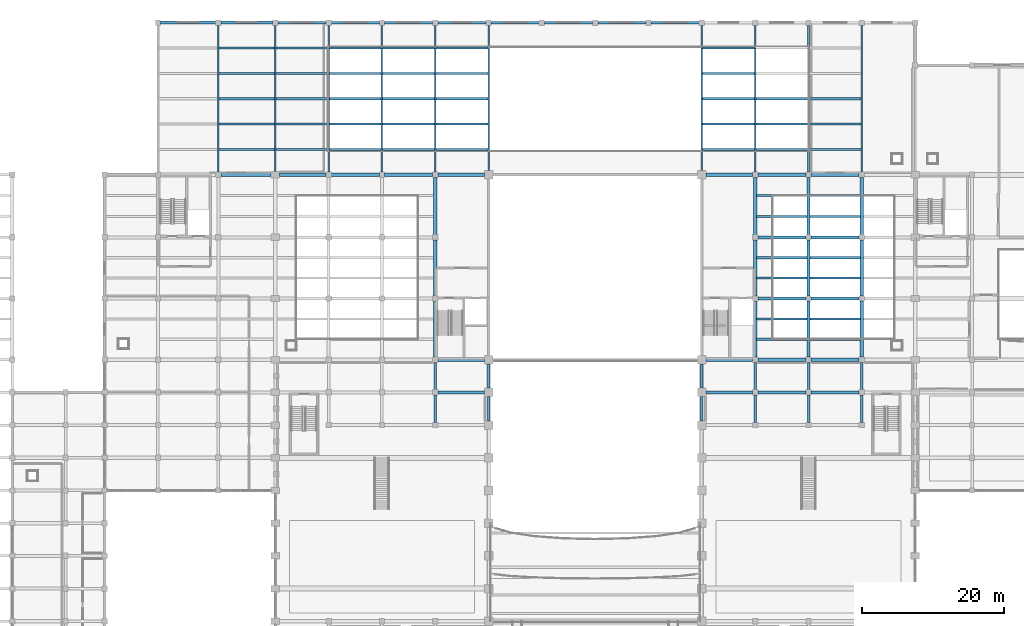
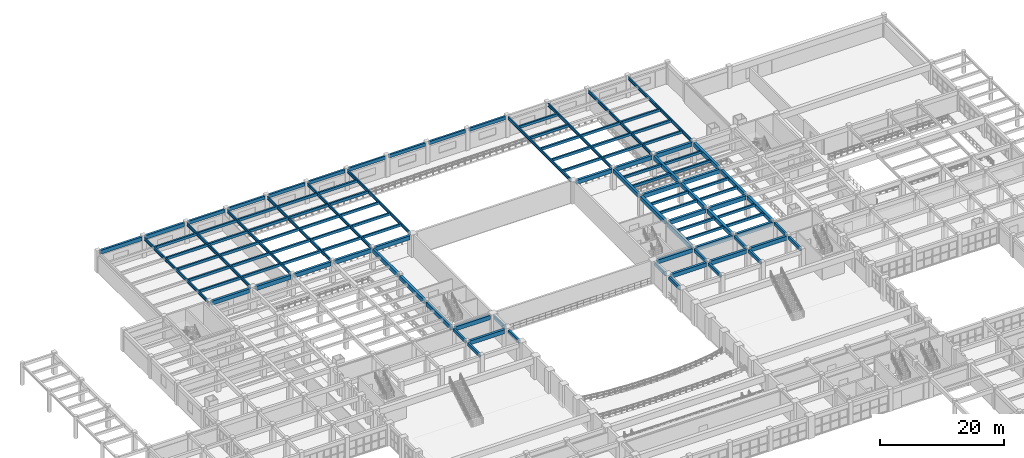
# One storey, part 48 of 116: 112 beams.
"""IFC4 building model written with IfcOpenShell, lengths in metres."""

from ifc_helpers import new_model, si_unit, direction, frame, origin, origin_2d, place, context, subcontext, project, spatial, rectangle, i_section, extrude, material, material_profile, profile_set, type_object, element, save


model = new_model("IFC4")

# Units and contexts
model_context = context("Model", 3, precision=1e-05, world=origin(), true_north=direction((0.0, 1.0)))
body_context = subcontext(model_context, "Body", "Model", "MODEL_VIEW")
ifc_project = project(units=[si_unit("LENGTHUNIT", "METRE"), si_unit("AREAUNIT", "SQUARE_METRE"), si_unit("VOLUMEUNIT", "CUBIC_METRE"), si_unit("PLANEANGLEUNIT", "RADIAN"), si_unit("MASSUNIT", "GRAM", prefix="KILO")], contexts=[model_context])

# Site, building, storey
site_placement = place(None, origin())
site = spatial("IfcSite", under=ifc_project, at=site_placement, CompositionType="ELEMENT")
building_placement = place(site_placement, origin())
building = spatial("IfcBuilding", under=site, at=building_placement, Name="Muzn Square Opera House", CompositionType="ELEMENT")
storey_placement = place(building_placement, frame((0.0, 0.0, 5.39990234375)))
storey = spatial("IfcBuildingStorey", under=building, at=storey_placement, Name="L01", CompositionType="ELEMENT", Elevation=5.39990234375)

# Beams
ifc_material_1 = material(Name="Concrete C40/50", Category="concrete")
ifc_material_profile_1 = material_profile(ifc_material_1, rectangle(XDim=0.300048828125, YDim=0.5, at=origin_2d()), Name="RCJ 300x500", Category="concrete")
ifc_profile_set_1 = profile_set([ifc_material_profile_1], Name="Concrete C40/50")
beam_type_1 = type_object("IfcBeamType", Name="Floor Joist 300x500", PredefinedType="JOIST", material=ifc_profile_set_1)
for number, where, z_axis, x_axis, name in (
    (1, (35.10205078125, 102.166748046875, 3.8701171875), (1.0, 0.0, 0.0), (0.0, 1.0, 0.0), "Floor Joist BM-L01-BM-J500-351_1022_429_1022-1834"),
    (2, (35.10205078125, 105.7333984375, 3.8701171875), (1.0, 0.0, 0.0), (0.0, 1.0, 0.0), "Floor Joist BM-L01-BM-J500-351_1057_429_1057-1835"),
    (3, (35.10205078125, 109.300048828125, 3.8701171875), (1.0, 0.0, 0.0), (0.0, 1.0, 0.0), "Floor Joist BM-L01-BM-J500-351_1093_429_1093-1836"),
    (4, (35.10205078125, 112.86669921875, 3.8701171875), (1.0, 0.0, 0.0), (0.0, 1.0, 0.0), "Floor Joist BM-L01-BM-J500-351_1129_429_1129-1837"),
    (5, (35.10205078125, 116.433349609375, 3.8701171875), (1.0, 0.0, 0.0), (0.0, 1.0, 0.0), "Floor Joist BM-L01-BM-J500-351_1164_429_1164-1838"),
):
    element("IfcBeam", number, at=place(storey_placement, frame(where, z_axis=z_axis, x_axis=x_axis)), inside=storey, type_object=beam_type_1, Name=name, PredefinedType="JOIST", context=body_context, shape_type="SweptSolid", body=[
        extrude(rectangle(XDim=0.300048828125, YDim=0.5, at=origin_2d()), origin(), (0.0, 0.0, 1.0), 7.7958984375),
    ])
for number, where, z_axis, x_axis, name in (
    (6, (43.10205078125, 102.166748046875, 3.8701171875), (1.0, 0.0, 0.0), (0.0, 1.0, 0.0), "Floor Joist BM-L01-BM-J500-431_1022_504_1022-1847"),
    (7, (43.10205078125, 105.7333984375, 3.8701171875), (1.0, 0.0, 0.0), (0.0, 1.0, 0.0), "Floor Joist BM-L01-BM-J500-431_1057_504_1057-1848"),
    (8, (43.10205078125, 109.300048828125, 3.8701171875), (1.0, 0.0, 0.0), (0.0, 1.0, 0.0), "Floor Joist BM-L01-BM-J500-431_1093_504_1093-1849"),
    (9, (43.10205078125, 112.86669921875, 3.8701171875), (1.0, 0.0, 0.0), (0.0, 1.0, 0.0), "Floor Joist BM-L01-BM-J500-431_1129_504_1129-1850"),
    (10, (43.10205078125, 116.433349609375, 3.8701171875), (1.0, 0.0, 0.0), (0.0, 1.0, 0.0), "Floor Joist BM-L01-BM-J500-431_1164_504_1164-1851"),
    (11, (50.60205078125, 102.166748046875, 3.8701171875), (1.0, 0.0, 0.0), (0.0, 1.0, 0.0), "Floor Joist BM-L01-BM-J500-506_1022_579_1022-1858"),
    (12, (50.60205078125, 105.7333984375, 3.8701171875), (1.0, 0.0, 0.0), (0.0, 1.0, 0.0), "Floor Joist BM-L01-BM-J500-506_1057_579_1057-1859"),
    (13, (50.60205078125, 109.300048828125, 3.8701171875), (1.0, 0.0, 0.0), (0.0, 1.0, 0.0), "Floor Joist BM-L01-BM-J500-506_1093_579_1093-1860"),
    (14, (50.60205078125, 112.86669921875, 3.8701171875), (1.0, 0.0, 0.0), (0.0, 1.0, 0.0), "Floor Joist BM-L01-BM-J500-506_1129_579_1129-1861"),
    (15, (50.60205078125, 116.433349609375, 3.8701171875), (1.0, 0.0, 0.0), (0.0, 1.0, 0.0), "Floor Joist BM-L01-BM-J500-506_1164_579_1164-1862"),
    (16, (58.10205078125, 102.166748046875, 3.8701171875), (1.0, 0.0, 0.0), (0.0, 1.0, 0.0), "Floor Joist BM-L01-BM-J500-581_1022_654_1022-1869"),
    (17, (58.10205078125, 105.7333984375, 3.8701171875), (1.0, 0.0, 0.0), (0.0, 1.0, 0.0), "Floor Joist BM-L01-BM-J500-581_1057_654_1057-1870"),
    (18, (58.10205078125, 109.300048828125, 3.8701171875), (1.0, 0.0, 0.0), (0.0, 1.0, 0.0), "Floor Joist BM-L01-BM-J500-581_1093_654_1093-1871"),
    (19, (58.10205078125, 112.86669921875, 3.8701171875), (1.0, 0.0, 0.0), (0.0, 1.0, 0.0), "Floor Joist BM-L01-BM-J500-581_1129_654_1129-1872"),
    (20, (58.10205078125, 116.433349609375, 3.8701171875), (1.0, 0.0, 0.0), (0.0, 1.0, 0.0), "Floor Joist BM-L01-BM-J500-581_1164_654_1164-1873"),
    (21, (65.60205078125, 102.166748046875, 3.8701171875), (1.0, 0.0, 0.0), (0.0, 1.0, 0.0), "Floor Joist BM-L01-BM-J500-656_1022_729_1022-1874"),
    (22, (65.60205078125, 105.7333984375, 3.8701171875), (1.0, 0.0, 0.0), (0.0, 1.0, 0.0), "Floor Joist BM-L01-BM-J500-656_1057_729_1057-1875"),
    (23, (65.60205078125, 109.300048828125, 3.8701171875), (1.0, 0.0, 0.0), (0.0, 1.0, 0.0), "Floor Joist BM-L01-BM-J500-656_1093_729_1093-1876"),
    (24, (65.60205078125, 112.86669921875, 3.8701171875), (1.0, 0.0, 0.0), (0.0, 1.0, 0.0), "Floor Joist BM-L01-BM-J500-656_1129_729_1129-1877"),
    (25, (65.60205078125, 116.433349609375, 3.8701171875), (1.0, 0.0, 0.0), (0.0, 1.0, 0.0), "Floor Joist BM-L01-BM-J500-656_1164_729_1164-1878"),
    (26, (103.10205078125, 102.166748046875, 3.8701171875), (1.0, 0.0, 0.0), (0.0, 1.0, 0.0), "Floor Joist BM-L01-BM-J500-1031_1022_1104_1022-1879"),
    (27, (103.10205078125, 105.7333984375, 3.8701171875), (1.0, 0.0, 0.0), (0.0, 1.0, 0.0), "Floor Joist BM-L01-BM-J500-1031_1057_1104_1057-1880"),
    (28, (103.10205078125, 109.300048828125, 3.8701171875), (1.0, 0.0, 0.0), (0.0, 1.0, 0.0), "Floor Joist BM-L01-BM-J500-1031_1093_1104_1093-1881"),
    (29, (103.10205078125, 112.86669921875, 3.8701171875), (1.0, 0.0, 0.0), (0.0, 1.0, 0.0), "Floor Joist BM-L01-BM-J500-1031_1129_1104_1129-1882"),
    (30, (103.10205078125, 116.433349609375, 3.8701171875), (1.0, 0.0, 0.0), (0.0, 1.0, 0.0), "Floor Joist BM-L01-BM-J500-1031_1164_1104_1164-1883"),
):
    element("IfcBeam", number, at=place(storey_placement, frame(where, z_axis=z_axis, x_axis=x_axis)), inside=storey, type_object=beam_type_1, Name=name, PredefinedType="JOIST", context=body_context, shape_type="SweptSolid", body=[
        extrude(rectangle(XDim=0.300048828125, YDim=0.5, at=origin_2d()), origin(), (0.0, 0.0, 1.0), 7.2958984375),
    ])
for number, where, z_axis, x_axis, name in (
    (31, (110.717041015625, 75.466796875, 3.8701171875), (1.0, 0.0, 0.0), (0.0, 1.0, 0.0), "Floor Joist BM-L01-BM-J500-1107_755_1178_755-1884"),
    (32, (110.717041015625, 78.333251953125, 3.8701171875), (1.0, 0.0, 0.0), (0.0, 1.0, 0.0), "Floor Joist BM-L01-BM-J500-1107_783_1178_783-1885"),
    (33, (110.717041015625, 84.066650390625, 3.8701171875), (1.0, 0.0, 0.0), (0.0, 1.0, 0.0), "Floor Joist BM-L01-BM-J500-1107_841_1178_841-1886"),
    (34, (110.717041015625, 86.933349609375, 3.8701171875), (1.0, 0.0, 0.0), (0.0, 1.0, 0.0), "Floor Joist BM-L01-BM-J500-1107_869_1178_869-1887"),
    (35, (110.717041015625, 92.7333984375, 3.8701171875), (1.0, 0.0, 0.0), (0.0, 1.0, 0.0), "Floor Joist BM-L01-BM-J500-1107_927_1178_927-1888"),
    (36, (110.717041015625, 95.666748046875, 3.8701171875), (1.0, 0.0, 0.0), (0.0, 1.0, 0.0), "Floor Joist BM-L01-BM-J500-1107_957_1178_957-1889"),
):
    element("IfcBeam", number, at=place(storey_placement, frame(where, z_axis=z_axis, x_axis=x_axis)), inside=storey, type_object=beam_type_1, Name=name, PredefinedType="JOIST", context=body_context, shape_type="SweptSolid", body=[
        extrude(rectangle(XDim=0.300048828125, YDim=0.5, at=origin_2d()), origin(), (0.0, 0.0, 1.0), 7.06591796875),
    ])
for number, where, z_axis, x_axis, name in (
    (37, (110.60205078125, 102.166748046875, 3.8701171875), (1.0, 0.0, 0.0), (0.0, 1.0, 0.0), "Floor Joist BM-L01-BM-J500-1106_1022_1179_1022-1890"),
    (38, (110.60205078125, 105.7333984375, 3.8701171875), (1.0, 0.0, 0.0), (0.0, 1.0, 0.0), "Floor Joist BM-L01-BM-J500-1106_1057_1179_1057-1891"),
    (39, (110.60205078125, 109.300048828125, 3.8701171875), (1.0, 0.0, 0.0), (0.0, 1.0, 0.0), "Floor Joist BM-L01-BM-J500-1106_1093_1179_1093-1892"),
):
    element("IfcBeam", number, at=place(storey_placement, frame(where, z_axis=z_axis, x_axis=x_axis)), inside=storey, type_object=beam_type_1, Name=name, PredefinedType="JOIST", context=body_context, shape_type="SweptSolid", body=[
        extrude(rectangle(XDim=0.300048828125, YDim=0.5, at=origin_2d()), origin(), (0.0, 0.0, 1.0), 7.2958984375),
    ])
for number, where, z_axis, x_axis, name in (
    (40, (118.217041015625, 75.466796875, 3.8701171875), (1.0, 0.0, 0.0), (0.0, 1.0, 0.0), "Floor Joist BM-L01-BM-J500-1182_755_1253_755-1895"),
    (41, (118.217041015625, 78.333251953125, 3.8701171875), (1.0, 0.0, 0.0), (0.0, 1.0, 0.0), "Floor Joist BM-L01-BM-J500-1182_783_1253_783-1896"),
    (42, (118.217041015625, 84.066650390625, 3.8701171875), (1.0, 0.0, 0.0), (0.0, 1.0, 0.0), "Floor Joist BM-L01-BM-J500-1182_841_1253_841-1897"),
    (43, (118.217041015625, 86.933349609375, 3.8701171875), (1.0, 0.0, 0.0), (0.0, 1.0, 0.0), "Floor Joist BM-L01-BM-J500-1182_869_1253_869-1898"),
    (44, (118.217041015625, 92.7333984375, 3.8701171875), (1.0, 0.0, 0.0), (0.0, 1.0, 0.0), "Floor Joist BM-L01-BM-J500-1182_927_1253_927-1899"),
    (45, (118.217041015625, 95.666748046875, 3.8701171875), (1.0, 0.0, 0.0), (0.0, 1.0, 0.0), "Floor Joist BM-L01-BM-J500-1182_957_1253_957-1900"),
):
    element("IfcBeam", number, at=place(storey_placement, frame(where, z_axis=z_axis, x_axis=x_axis)), inside=storey, type_object=beam_type_1, Name=name, PredefinedType="JOIST", context=body_context, shape_type="SweptSolid", body=[
        extrude(rectangle(XDim=0.300048828125, YDim=0.5, at=origin_2d()), origin(), (0.0, 0.0, 1.0), 7.06591796875),
    ])
for number, where, z_axis, x_axis, name in (
    (46, (118.10205078125, 102.166748046875, 3.8701171875), (1.0, 0.0, 0.0), (0.0, 1.0, 0.0), "Floor Joist BM-L01-BM-J500-1181_1022_1254_1022-1901"),
    (47, (118.10205078125, 105.7333984375, 3.8701171875), (1.0, 0.0, 0.0), (0.0, 1.0, 0.0), "Floor Joist BM-L01-BM-J500-1181_1057_1254_1057-1902"),
    (48, (118.10205078125, 109.300048828125, 3.8701171875), (1.0, 0.0, 0.0), (0.0, 1.0, 0.0), "Floor Joist BM-L01-BM-J500-1181_1093_1254_1093-1903"),
):
    element("IfcBeam", number, at=place(storey_placement, frame(where, z_axis=z_axis, x_axis=x_axis)), inside=storey, type_object=beam_type_1, Name=name, PredefinedType="JOIST", context=body_context, shape_type="SweptSolid", body=[
        extrude(rectangle(XDim=0.300048828125, YDim=0.5, at=origin_2d()), origin(), (0.0, 0.0, 1.0), 7.2958984375),
    ])
ifc_material_profile_2 = material_profile(ifc_material_1, rectangle(XDim=0.35009765625, YDim=0.60009765625, at=origin_2d()), Name="RCB 350x600", Category="concrete")
ifc_profile_set_2 = profile_set([ifc_material_profile_2], Name="Concrete C40/50")
beam_type_2 = type_object("IfcBeamType", Name="Primary Girder 350x600", PredefinedType="BEAM", material=ifc_profile_set_2)
for number, where, z_axis, x_axis, name in (
    (49, (65.5, 63.76708984375, 3.820068359375), (0.0, 1.0, 0.0), (-1.0, 0.0, 0.0), "Primary Girder BM-L01-BM-PG600-655_638_655_676-1638"),
    (50, (65.5, 68.366943359375, 3.820068359375), (0.0, 1.0, 0.0), (-1.0, 0.0, 0.0), "Primary Girder BM-L01-BM-PG600-655_684_655_722-1639"),
):
    element("IfcBeam", number, at=place(storey_placement, frame(where, z_axis=z_axis, x_axis=x_axis)), inside=storey, type_object=beam_type_2, Name=name, PredefinedType="BEAM", context=body_context, shape_type="SweptSolid", body=[
        extrude(rectangle(XDim=0.35009765625, YDim=0.60009765625, at=origin_2d()), origin(), (0.0, 0.0, 1.0), 3.865966796875),
    ])
for number, where, z_axis, x_axis, name in (
    (51, (73.0, 63.991943359375, 3.820068359375), (0.0, 1.0, 0.0), (-1.0, 0.0, 0.0), "Primary Girder BM-L01-BM-PG600-730_640_730_674-1653"),
    (52, (73.0, 68.592041015625, 3.820068359375), (0.0, 1.0, 0.0), (-1.0, 0.0, 0.0), "Primary Girder BM-L01-BM-PG600-730_686_730_720-1654"),
    (53, (103.0, 63.991943359375, 3.820068359375), (0.0, 1.0, 0.0), (-1.0, 0.0, 0.0), "Primary Girder BM-L01-BM-PG600-1030_640_1030_674-1665"),
    (54, (103.0, 68.592041015625, 3.820068359375), (0.0, 1.0, 0.0), (-1.0, 0.0, 0.0), "Primary Girder BM-L01-BM-PG600-1030_686_1030_720-1666"),
):
    element("IfcBeam", number, at=place(storey_placement, frame(where, z_axis=z_axis, x_axis=x_axis)), inside=storey, type_object=beam_type_2, Name=name, PredefinedType="BEAM", context=body_context, shape_type="SweptSolid", body=[
        extrude(rectangle(XDim=0.35009765625, YDim=0.60009765625, at=origin_2d()), origin(), (0.0, 0.0, 1.0), 3.416015625),
    ])
for number, where, z_axis, x_axis, name in (
    (55, (110.5, 63.76708984375, 3.820068359375), (0.0, 1.0, 0.0), (-1.0, 0.0, 0.0), "Primary Girder BM-L01-BM-PG600-1105_638_1105_676-1671"),
    (56, (110.5, 68.366943359375, 3.820068359375), (0.0, 1.0, 0.0), (-1.0, 0.0, 0.0), "Primary Girder BM-L01-BM-PG600-1105_684_1105_722-1672"),
    (57, (118.0, 63.76708984375, 3.820068359375), (0.0, 1.0, 0.0), (-1.0, 0.0, 0.0), "Primary Girder BM-L01-BM-PG600-1180_638_1180_676-1680"),
    (58, (118.0, 68.366943359375, 3.820068359375), (0.0, 1.0, 0.0), (-1.0, 0.0, 0.0), "Primary Girder BM-L01-BM-PG600-1180_684_1180_722-1681"),
    (59, (125.5, 63.76708984375, 3.820068359375), (0.0, 1.0, 0.0), (-1.0, 0.0, 0.0), "Primary Girder BM-L01-BM-PG600-1255_638_1255_676-1692"),
    (60, (125.5, 68.366943359375, 3.820068359375), (0.0, 1.0, 0.0), (-1.0, 0.0, 0.0), "Primary Girder BM-L01-BM-PG600-1255_684_1255_722-1693"),
):
    element("IfcBeam", number, at=place(storey_placement, frame(where, z_axis=z_axis, x_axis=x_axis)), inside=storey, type_object=beam_type_2, Name=name, PredefinedType="BEAM", context=body_context, shape_type="SweptSolid", body=[
        extrude(rectangle(XDim=0.35009765625, YDim=0.60009765625, at=origin_2d()), origin(), (0.0, 0.0, 1.0), 3.865966796875),
    ])
ifc_material_profile_3 = material_profile(ifc_material_1, rectangle(XDim=0.449951171875, YDim=0.800048828125, at=origin_2d()), Name="RCB 450x800", Category="concrete")
ifc_profile_set_3 = profile_set([ifc_material_profile_3], Name="Concrete C40/50")
beam_type_3 = type_object("IfcBeamType", Name="Primary Girder 450x800", PredefinedType="BEAM", material=ifc_profile_set_3)
for number, where, z_axis, x_axis, name in (
    (61, (65.866943359375, 68.0, 3.72021484375), (1.0, 0.0, 0.0), (0.0, 1.0, 0.0), "Primary Girder BM-L01-BM-PG800-659_680_724_680-1421"),
    (62, (103.592041015625, 68.0, 3.72021484375), (1.0, 0.0, 0.0), (0.0, 1.0, 0.0), "Primary Girder BM-L01-BM-PG800-1036_680_1101_680-1422"),
):
    element("IfcBeam", number, at=place(storey_placement, frame(where, z_axis=z_axis, x_axis=x_axis)), inside=storey, type_object=beam_type_3, Name=name, PredefinedType="BEAM", context=body_context, shape_type="SweptSolid", body=[
        extrude(rectangle(XDim=0.449951171875, YDim=0.800048828125, at=origin_2d()), origin(), (0.0, 0.0, 1.0), 6.541015625),
    ])
for number, where, z_axis, x_axis, name in (
    (63, (110.866943359375, 68.0, 3.72021484375), (1.0, 0.0, 0.0), (0.0, 1.0, 0.0), "Primary Girder BM-L01-BM-PG800-1109_680_1176_680-1423"),
    (64, (118.366943359375, 68.0, 3.72021484375), (1.0, 0.0, 0.0), (0.0, 1.0, 0.0), "Primary Girder BM-L01-BM-PG800-1184_680_1251_680-1424"),
):
    element("IfcBeam", number, at=place(storey_placement, frame(where, z_axis=z_axis, x_axis=x_axis)), inside=storey, type_object=beam_type_3, Name=name, PredefinedType="BEAM", context=body_context, shape_type="SweptSolid", body=[
        extrude(rectangle(XDim=0.449951171875, YDim=0.800048828125, at=origin_2d()), origin(), (0.0, 0.0, 1.0), 6.76611328125),
    ])
for number, where, z_axis, x_axis, name in (
    (65, (65.866943359375, 72.60009765625, 3.72021484375), (1.0, 0.0, 0.0), (0.0, 1.0, 0.0), "Primary Girder BM-L01-BM-PG800-659_726_724_726-1439"),
    (66, (103.592041015625, 72.60009765625, 3.72021484375), (1.0, 0.0, 0.0), (0.0, 1.0, 0.0), "Primary Girder BM-L01-BM-PG800-1036_726_1101_726-1440"),
):
    element("IfcBeam", number, at=place(storey_placement, frame(where, z_axis=z_axis, x_axis=x_axis)), inside=storey, type_object=beam_type_3, Name=name, PredefinedType="BEAM", context=body_context, shape_type="SweptSolid", body=[
        extrude(rectangle(XDim=0.449951171875, YDim=0.800048828125, at=origin_2d()), origin(), (0.0, 0.0, 1.0), 6.541015625),
    ])
for number, where, z_axis, x_axis, name in (
    (67, (110.866943359375, 72.60009765625, 3.72021484375), (1.0, 0.0, 0.0), (0.0, 1.0, 0.0), "Primary Girder BM-L01-BM-PG800-1109_726_1176_726-1441"),
    (68, (118.366943359375, 72.60009765625, 3.72021484375), (1.0, 0.0, 0.0), (0.0, 1.0, 0.0), "Primary Girder BM-L01-BM-PG800-1184_726_1251_726-1442"),
    (69, (110.866943359375, 81.199951171875, 3.72021484375), (1.0, 0.0, 0.0), (0.0, 1.0, 0.0), "Primary Girder BM-L01-BM-PG800-1109_812_1176_812-1457"),
    (70, (118.366943359375, 81.199951171875, 3.72021484375), (1.0, 0.0, 0.0), (0.0, 1.0, 0.0), "Primary Girder BM-L01-BM-PG800-1184_812_1251_812-1458"),
    (71, (110.866943359375, 89.800048828125, 3.72021484375), (1.0, 0.0, 0.0), (0.0, 1.0, 0.0), "Primary Girder BM-L01-BM-PG800-1109_898_1176_898-1470"),
    (72, (118.366943359375, 89.800048828125, 3.72021484375), (1.0, 0.0, 0.0), (0.0, 1.0, 0.0), "Primary Girder BM-L01-BM-PG800-1184_898_1251_898-1471"),
):
    element("IfcBeam", number, at=place(storey_placement, frame(where, z_axis=z_axis, x_axis=x_axis)), inside=storey, type_object=beam_type_3, Name=name, PredefinedType="BEAM", context=body_context, shape_type="SweptSolid", body=[
        extrude(rectangle(XDim=0.449951171875, YDim=0.800048828125, at=origin_2d()), origin(), (0.0, 0.0, 1.0), 6.76611328125),
    ])
beam_1_placement = place(storey_placement, frame((35.366943359375, 98.60009765625, 3.72021484375), z_axis=(1.0, 0.0, 0.0), x_axis=(0.0, 1.0, 0.0)))
element("IfcBeam", 73, at=beam_1_placement, inside=storey, type_object=beam_type_3, Name="Primary Girder BM-L01-BM-PG800-354_986_424_986-1482", PredefinedType="BEAM", context=body_context, shape_type="SweptSolid", body=[
    extrude(rectangle(XDim=0.449951171875, YDim=0.800048828125, at=origin_2d()), origin(), (0.0, 0.0, 1.0), 7.041015625),
])
beam_2_placement = place(storey_placement, frame((43.592041015625, 98.60009765625, 3.72021484375), z_axis=(1.0, 0.0, 0.0), x_axis=(0.0, 1.0, 0.0)))
element("IfcBeam", 74, at=beam_2_placement, inside=storey, type_object=beam_type_3, Name="Primary Girder BM-L01-BM-PG800-436_986_501_986-1483", PredefinedType="BEAM", context=body_context, shape_type="SweptSolid", body=[
    extrude(rectangle(XDim=0.449951171875, YDim=0.800048828125, at=origin_2d()), origin(), (0.0, 0.0, 1.0), 6.541015625),
])
for number, where, z_axis, x_axis, name in (
    (75, (50.866943359375, 98.60009765625, 3.72021484375), (1.0, 0.0, 0.0), (0.0, 1.0, 0.0), "Primary Girder BM-L01-BM-PG800-509_986_576_986-1484"),
    (76, (58.366943359375, 98.60009765625, 3.72021484375), (1.0, 0.0, 0.0), (0.0, 1.0, 0.0), "Primary Girder BM-L01-BM-PG800-584_986_651_986-1485"),
):
    element("IfcBeam", number, at=place(storey_placement, frame(where, z_axis=z_axis, x_axis=x_axis)), inside=storey, type_object=beam_type_3, Name=name, PredefinedType="BEAM", context=body_context, shape_type="SweptSolid", body=[
        extrude(rectangle(XDim=0.449951171875, YDim=0.800048828125, at=origin_2d()), origin(), (0.0, 0.0, 1.0), 6.76611328125),
    ])
for number, where, z_axis, x_axis, name in (
    (77, (65.866943359375, 98.60009765625, 3.72021484375), (1.0, 0.0, 0.0), (0.0, 1.0, 0.0), "Primary Girder BM-L01-BM-PG800-659_986_724_986-1486"),
    (78, (103.592041015625, 98.60009765625, 3.72021484375), (1.0, 0.0, 0.0), (0.0, 1.0, 0.0), "Primary Girder BM-L01-BM-PG800-1036_986_1101_986-1487"),
):
    element("IfcBeam", number, at=place(storey_placement, frame(where, z_axis=z_axis, x_axis=x_axis)), inside=storey, type_object=beam_type_3, Name=name, PredefinedType="BEAM", context=body_context, shape_type="SweptSolid", body=[
        extrude(rectangle(XDim=0.449951171875, YDim=0.800048828125, at=origin_2d()), origin(), (0.0, 0.0, 1.0), 6.541015625),
    ])
for number, where, z_axis, x_axis, name in (
    (79, (110.866943359375, 98.60009765625, 3.72021484375), (1.0, 0.0, 0.0), (0.0, 1.0, 0.0), "Primary Girder BM-L01-BM-PG800-1109_986_1176_986-1488"),
    (80, (118.366943359375, 98.60009765625, 3.72021484375), (1.0, 0.0, 0.0), (0.0, 1.0, 0.0), "Primary Girder BM-L01-BM-PG800-1184_986_1251_986-1489"),
):
    element("IfcBeam", number, at=place(storey_placement, frame(where, z_axis=z_axis, x_axis=x_axis)), inside=storey, type_object=beam_type_3, Name=name, PredefinedType="BEAM", context=body_context, shape_type="SweptSolid", body=[
        extrude(rectangle(XDim=0.449951171875, YDim=0.800048828125, at=origin_2d()), origin(), (0.0, 0.0, 1.0), 6.76611328125),
    ])
beam_3_placement = place(storey_placement, frame((65.5, 72.967041015625, 3.72021484375), z_axis=(0.0, 1.0, 0.0), x_axis=(-1.0, 0.0, 0.0)))
element("IfcBeam", 81, at=beam_3_placement, inside=storey, type_object=beam_type_3, Name="Primary Girder BM-L01-BM-PG800-655_730_655_808-1640", PredefinedType="BEAM", context=body_context, shape_type="SweptSolid", body=[
    extrude(rectangle(XDim=0.449951171875, YDim=0.800048828125, at=origin_2d()), origin(), (0.0, 0.0, 1.0), 7.865966796875),
])
beam_4_placement = place(storey_placement, frame((65.5, 81.56689453125, 3.72021484375), z_axis=(0.0, 1.0, 0.0), x_axis=(-1.0, 0.0, 0.0)))
element("IfcBeam", 82, at=beam_4_placement, inside=storey, type_object=beam_type_3, Name="Primary Girder BM-L01-BM-PG800-655_816_655_894-1641", PredefinedType="BEAM", context=body_context, shape_type="SweptSolid", body=[
    extrude(rectangle(XDim=0.449951171875, YDim=0.800048828125, at=origin_2d()), origin(), (0.0, 0.0, 1.0), 7.8662109375),
])
beam_5_placement = place(storey_placement, frame((65.5, 90.1669921875, 3.72021484375), z_axis=(0.0, 1.0, 0.0), x_axis=(-1.0, 0.0, 0.0)))
element("IfcBeam", 83, at=beam_5_placement, inside=storey, type_object=beam_type_3, Name="Primary Girder BM-L01-BM-PG800-655_902_655_982-1642", PredefinedType="BEAM", context=body_context, shape_type="SweptSolid", body=[
    extrude(rectangle(XDim=0.449951171875, YDim=0.800048828125, at=origin_2d()), origin(), (0.0, 0.0, 1.0), 8.06591796875),
])
beam_6_placement = place(storey_placement, frame((110.5, 72.967041015625, 3.72021484375), z_axis=(0.0, 1.0, 0.0), x_axis=(-1.0, 0.0, 0.0)))
element("IfcBeam", 84, at=beam_6_placement, inside=storey, type_object=beam_type_3, Name="Primary Girder BM-L01-BM-PG800-1105_730_1105_808-1673", PredefinedType="BEAM", context=body_context, shape_type="SweptSolid", body=[
    extrude(rectangle(XDim=0.449951171875, YDim=0.800048828125, at=origin_2d()), origin(), (0.0, 0.0, 1.0), 7.865966796875),
])
beam_7_placement = place(storey_placement, frame((110.5, 81.56689453125, 3.72021484375), z_axis=(0.0, 1.0, 0.0), x_axis=(-1.0, 0.0, 0.0)))
element("IfcBeam", 85, at=beam_7_placement, inside=storey, type_object=beam_type_3, Name="Primary Girder BM-L01-BM-PG800-1105_816_1105_894-1674", PredefinedType="BEAM", context=body_context, shape_type="SweptSolid", body=[
    extrude(rectangle(XDim=0.449951171875, YDim=0.800048828125, at=origin_2d()), origin(), (0.0, 0.0, 1.0), 7.8662109375),
])
beam_8_placement = place(storey_placement, frame((110.5, 90.1669921875, 3.72021484375), z_axis=(0.0, 1.0, 0.0), x_axis=(-1.0, 0.0, 0.0)))
element("IfcBeam", 86, at=beam_8_placement, inside=storey, type_object=beam_type_3, Name="Primary Girder BM-L01-BM-PG800-1105_902_1105_982-1675", PredefinedType="BEAM", context=body_context, shape_type="SweptSolid", body=[
    extrude(rectangle(XDim=0.449951171875, YDim=0.800048828125, at=origin_2d()), origin(), (0.0, 0.0, 1.0), 8.06591796875),
])
beam_9_placement = place(storey_placement, frame((118.0, 72.967041015625, 3.72021484375), z_axis=(0.0, 1.0, 0.0), x_axis=(-1.0, 0.0, 0.0)))
element("IfcBeam", 87, at=beam_9_placement, inside=storey, type_object=beam_type_3, Name="Primary Girder BM-L01-BM-PG800-1180_730_1180_808-1682", PredefinedType="BEAM", context=body_context, shape_type="SweptSolid", body=[
    extrude(rectangle(XDim=0.449951171875, YDim=0.800048828125, at=origin_2d()), origin(), (0.0, 0.0, 1.0), 7.865966796875),
])
beam_10_placement = place(storey_placement, frame((118.0, 81.56689453125, 3.72021484375), z_axis=(0.0, 1.0, 0.0), x_axis=(-1.0, 0.0, 0.0)))
element("IfcBeam", 88, at=beam_10_placement, inside=storey, type_object=beam_type_3, Name="Primary Girder BM-L01-BM-PG800-1180_816_1180_894-1683", PredefinedType="BEAM", context=body_context, shape_type="SweptSolid", body=[
    extrude(rectangle(XDim=0.449951171875, YDim=0.800048828125, at=origin_2d()), origin(), (0.0, 0.0, 1.0), 7.8662109375),
])
beam_11_placement = place(storey_placement, frame((118.0, 90.1669921875, 3.72021484375), z_axis=(0.0, 1.0, 0.0), x_axis=(-1.0, 0.0, 0.0)))
element("IfcBeam", 89, at=beam_11_placement, inside=storey, type_object=beam_type_3, Name="Primary Girder BM-L01-BM-PG800-1180_902_1180_982-1684", PredefinedType="BEAM", context=body_context, shape_type="SweptSolid", body=[
    extrude(rectangle(XDim=0.449951171875, YDim=0.800048828125, at=origin_2d()), origin(), (0.0, 0.0, 1.0), 8.06591796875),
])
beam_12_placement = place(storey_placement, frame((125.5, 72.967041015625, 3.72021484375), z_axis=(0.0, 1.0, 0.0), x_axis=(-1.0, 0.0, 0.0)))
element("IfcBeam", 90, at=beam_12_placement, inside=storey, type_object=beam_type_3, Name="Primary Girder BM-L01-BM-PG800-1255_730_1255_808-1694", PredefinedType="BEAM", context=body_context, shape_type="SweptSolid", body=[
    extrude(rectangle(XDim=0.449951171875, YDim=0.800048828125, at=origin_2d()), origin(), (0.0, 0.0, 1.0), 7.865966796875),
])
beam_13_placement = place(storey_placement, frame((125.5, 81.56689453125, 3.72021484375), z_axis=(0.0, 1.0, 0.0), x_axis=(-1.0, 0.0, 0.0)))
element("IfcBeam", 91, at=beam_13_placement, inside=storey, type_object=beam_type_3, Name="Primary Girder BM-L01-BM-PG800-1255_816_1255_894-1695", PredefinedType="BEAM", context=body_context, shape_type="SweptSolid", body=[
    extrude(rectangle(XDim=0.449951171875, YDim=0.800048828125, at=origin_2d()), origin(), (0.0, 0.0, 1.0), 7.8662109375),
])
beam_14_placement = place(storey_placement, frame((125.5, 90.1669921875, 3.72021484375), z_axis=(0.0, 1.0, 0.0), x_axis=(-1.0, 0.0, 0.0)))
element("IfcBeam", 92, at=beam_14_placement, inside=storey, type_object=beam_type_3, Name="Primary Girder BM-L01-BM-PG800-1255_902_1255_982-1696", PredefinedType="BEAM", context=body_context, shape_type="SweptSolid", body=[
    extrude(rectangle(XDim=0.449951171875, YDim=0.800048828125, at=origin_2d()), origin(), (0.0, 0.0, 1.0), 8.06591796875),
])
ifc_material_profile_4 = material_profile(ifc_material_1, rectangle(XDim=0.35009765625, YDim=0.64990234375, at=origin_2d()), Name="RCS 350x650", Category="concrete")
ifc_profile_set_4 = profile_set([ifc_material_profile_4], Name="Concrete C40/50")
beam_type_4 = type_object("IfcBeamType", Name="Spandrel Beam 350x650", PredefinedType="SPANDREL", material=ifc_profile_set_4)
for number, where, z_axis, x_axis, name in (
    (93, (43.366943359375, 120.0, 3.795166015625), (1.0, 0.0, 0.0), (0.0, 1.0, 0.0), "Spandrel Beam BM-L01-BM-SP650-434_1200_501_1200-1496"),
    (94, (50.866943359375, 120.0, 3.795166015625), (1.0, 0.0, 0.0), (0.0, 1.0, 0.0), "Spandrel Beam BM-L01-BM-SP650-509_1200_576_1200-1497"),
    (95, (58.366943359375, 120.0, 3.795166015625), (1.0, 0.0, 0.0), (0.0, 1.0, 0.0), "Spandrel Beam BM-L01-BM-SP650-584_1200_651_1200-1498"),
    (96, (65.866943359375, 120.0, 3.795166015625), (1.0, 0.0, 0.0), (0.0, 1.0, 0.0), "Spandrel Beam BM-L01-BM-SP650-659_1200_726_1200-1499"),
    (97, (73.366943359375, 120.0, 3.795166015625), (1.0, 0.0, 0.0), (0.0, 1.0, 0.0), "Spandrel Beam BM-L01-BM-SP650-734_1200_801_1200-1500"),
    (98, (80.866943359375, 120.0, 3.795166015625), (1.0, 0.0, 0.0), (0.0, 1.0, 0.0), "Spandrel Beam BM-L01-BM-SP650-809_1200_876_1200-1501"),
    (99, (88.366943359375, 120.0, 3.795166015625), (1.0, 0.0, 0.0), (0.0, 1.0, 0.0), "Spandrel Beam BM-L01-BM-SP650-884_1200_951_1200-1502"),
    (100, (95.866943359375, 120.0, 3.795166015625), (1.0, 0.0, 0.0), (0.0, 1.0, 0.0), "Spandrel Beam BM-L01-BM-SP650-959_1200_1026_1200-1503"),
):
    element("IfcBeam", number, at=place(storey_placement, frame(where, z_axis=z_axis, x_axis=x_axis)), inside=storey, type_object=beam_type_4, Name=name, PredefinedType="SPANDREL", context=body_context, shape_type="SweptSolid", body=[
        extrude(rectangle(XDim=0.35009765625, YDim=0.64990234375, at=origin_2d()), origin(), (0.0, 0.0, 1.0), 6.76611328125),
    ])
ifc_material_profile_5 = material_profile(ifc_material_1, rectangle(XDim=0.39990234375, YDim=0.75, at=origin_2d()), Name="RCS 400x750", Category="concrete")
ifc_profile_set_5 = profile_set([ifc_material_profile_5], Name="Concrete C40/50")
beam_type_5 = type_object("IfcBeamType", Name="Spandrel Beam 400x750", PredefinedType="SPANDREL", material=ifc_profile_set_5)
beam_15_placement = place(storey_placement, frame((26.866943359375, 120.0, 3.7451171875), z_axis=(1.0, 0.0, 0.0), x_axis=(0.0, 1.0, 0.0)))
element("IfcBeam", 101, at=beam_15_placement, inside=storey, type_object=beam_type_5, Name="Spandrel Beam BM-L01-BM-SP750-269_1200_346_1200-1494", PredefinedType="SPANDREL", context=body_context, shape_type="SweptSolid", body=[
    extrude(rectangle(XDim=0.39990234375, YDim=0.75, at=origin_2d()), origin(), (0.0, 0.0, 1.0), 7.76611328125),
])
beam_16_placement = place(storey_placement, frame((35.366943359375, 120.0, 3.7451171875), z_axis=(1.0, 0.0, 0.0), x_axis=(0.0, 1.0, 0.0)))
element("IfcBeam", 102, at=beam_16_placement, inside=storey, type_object=beam_type_5, Name="Spandrel Beam BM-L01-BM-SP750-354_1200_426_1200-1495", PredefinedType="SPANDREL", context=body_context, shape_type="SweptSolid", body=[
    extrude(rectangle(XDim=0.39990234375, YDim=0.75, at=origin_2d()), origin(), (0.0, 0.0, 1.0), 7.26611328125),
])
ifc_material_2 = material(Name="Steel S355", Category="steel")
ifc_material_profile_6 = material_profile(ifc_material_2, i_section(OverallWidth=0.219970703125, OverallDepth=0.60009765625, WebThickness=0.011962890625, FlangeThickness=0.01904296875, FilletRadius=0.02392578125, at=origin_2d()), Name="IPE 600", Category="steel")
ifc_profile_set_6 = profile_set([ifc_material_profile_6], Name="Steel S355")
beam_type_6 = type_object("IfcBeamType", Name="Stage Gallery Beam IPE600", PredefinedType="BEAM", material=ifc_profile_set_6)
beam_17_placement = place(storey_placement, frame((35.0, 98.967041015625, 3.820068359375), z_axis=(0.0, 1.0, 0.0), x_axis=(-1.0, 0.0, 0.0)))
element("IfcBeam", 103, at=beam_17_placement, inside=storey, type_object=beam_type_6, Name="Primary Girder BM-L01-BM-SG600-350_990_350_1196-1595", PredefinedType="BEAM", context=body_context, shape_type="SweptSolid", body=[
    extrude(i_section(OverallWidth=0.219970703125, OverallDepth=0.60009765625, WebThickness=0.011962890625, FlangeThickness=0.01904296875, FilletRadius=0.02392578125, at=origin_2d()), origin(), (0.0, 0.0, 1.0), 20.666015625),
])
beam_18_placement = place(storey_placement, frame((43.0, 99.0419921875, 3.820068359375), z_axis=(0.0, 1.0, 0.0), x_axis=(-1.0, 0.0, 0.0)))
element("IfcBeam", 104, at=beam_18_placement, inside=storey, type_object=beam_type_6, Name="Primary Girder BM-L01-BM-SG600-430_990_430_1196-1613", PredefinedType="BEAM", context=body_context, shape_type="SweptSolid", body=[
    extrude(i_section(OverallWidth=0.219970703125, OverallDepth=0.60009765625, WebThickness=0.011962890625, FlangeThickness=0.01904296875, FilletRadius=0.02392578125, at=origin_2d()), origin(), (0.0, 0.0, 1.0), 20.591064453125),
])
for number, where, z_axis, x_axis, name in (
    (105, (50.5, 98.967041015625, 3.820068359375), (0.0, 1.0, 0.0), (-1.0, 0.0, 0.0), "Primary Girder BM-L01-BM-SG600-505_990_505_1196-1625"),
    (106, (58.0, 98.967041015625, 3.820068359375), (0.0, 1.0, 0.0), (-1.0, 0.0, 0.0), "Primary Girder BM-L01-BM-SG600-580_990_580_1196-1634"),
    (107, (65.5, 98.967041015625, 3.820068359375), (0.0, 1.0, 0.0), (-1.0, 0.0, 0.0), "Primary Girder BM-L01-BM-SG600-655_990_655_1196-1643"),
):
    element("IfcBeam", number, at=place(storey_placement, frame(where, z_axis=z_axis, x_axis=x_axis)), inside=storey, type_object=beam_type_6, Name=name, PredefinedType="BEAM", context=body_context, shape_type="SweptSolid", body=[
        extrude(i_section(OverallWidth=0.219970703125, OverallDepth=0.60009765625, WebThickness=0.011962890625, FlangeThickness=0.01904296875, FilletRadius=0.02392578125, at=origin_2d()), origin(), (0.0, 0.0, 1.0), 20.666015625),
    ])
for number, where, z_axis, x_axis, name in (
    (108, (73.0, 99.19189453125, 3.820068359375), (0.0, 1.0, 0.0), (-1.0, 0.0, 0.0), "Primary Girder BM-L01-BM-SG600-730_992_730_1196-1655"),
    (109, (103.0, 99.19189453125, 3.820068359375), (0.0, 1.0, 0.0), (-1.0, 0.0, 0.0), "Primary Girder BM-L01-BM-SG600-1030_992_1030_1196-1667"),
):
    element("IfcBeam", number, at=place(storey_placement, frame(where, z_axis=z_axis, x_axis=x_axis)), inside=storey, type_object=beam_type_6, Name=name, PredefinedType="BEAM", context=body_context, shape_type="SweptSolid", body=[
        extrude(i_section(OverallWidth=0.219970703125, OverallDepth=0.60009765625, WebThickness=0.011962890625, FlangeThickness=0.01904296875, FilletRadius=0.02392578125, at=origin_2d()), origin(), (0.0, 0.0, 1.0), 20.441162109375),
    ])
for number, where, z_axis, x_axis, name in (
    (110, (110.5, 98.967041015625, 3.820068359375), (0.0, 1.0, 0.0), (-1.0, 0.0, 0.0), "Primary Girder BM-L01-BM-SG600-1105_990_1105_1196-1676"),
    (111, (118.0, 98.967041015625, 3.820068359375), (0.0, 1.0, 0.0), (-1.0, 0.0, 0.0), "Primary Girder BM-L01-BM-SG600-1180_990_1180_1196-1685"),
    (112, (125.5, 98.967041015625, 3.820068359375), (0.0, 1.0, 0.0), (-1.0, 0.0, 0.0), "Primary Girder BM-L01-BM-SG600-1255_990_1255_1196-1697"),
):
    element("IfcBeam", number, at=place(storey_placement, frame(where, z_axis=z_axis, x_axis=x_axis)), inside=storey, type_object=beam_type_6, Name=name, PredefinedType="BEAM", context=body_context, shape_type="SweptSolid", body=[
        extrude(i_section(OverallWidth=0.219970703125, OverallDepth=0.60009765625, WebThickness=0.011962890625, FlangeThickness=0.01904296875, FilletRadius=0.02392578125, at=origin_2d()), origin(), (0.0, 0.0, 1.0), 20.666015625),
    ])

save(model, "model.ifc")
